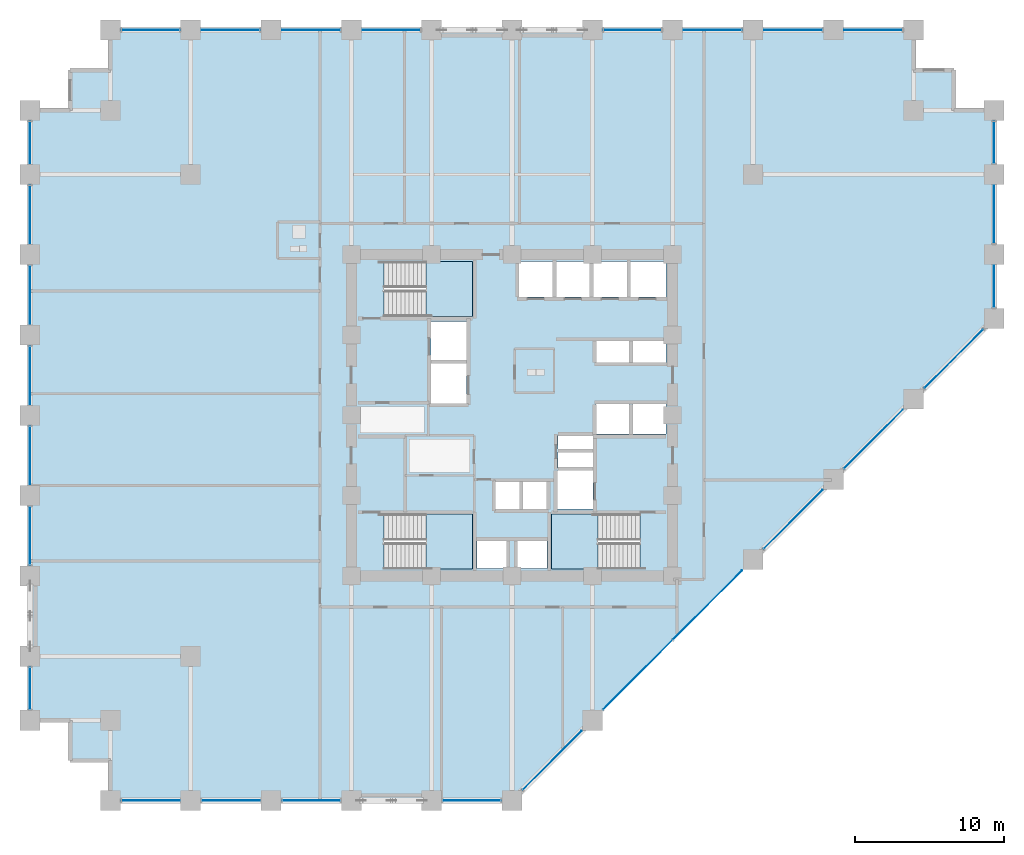
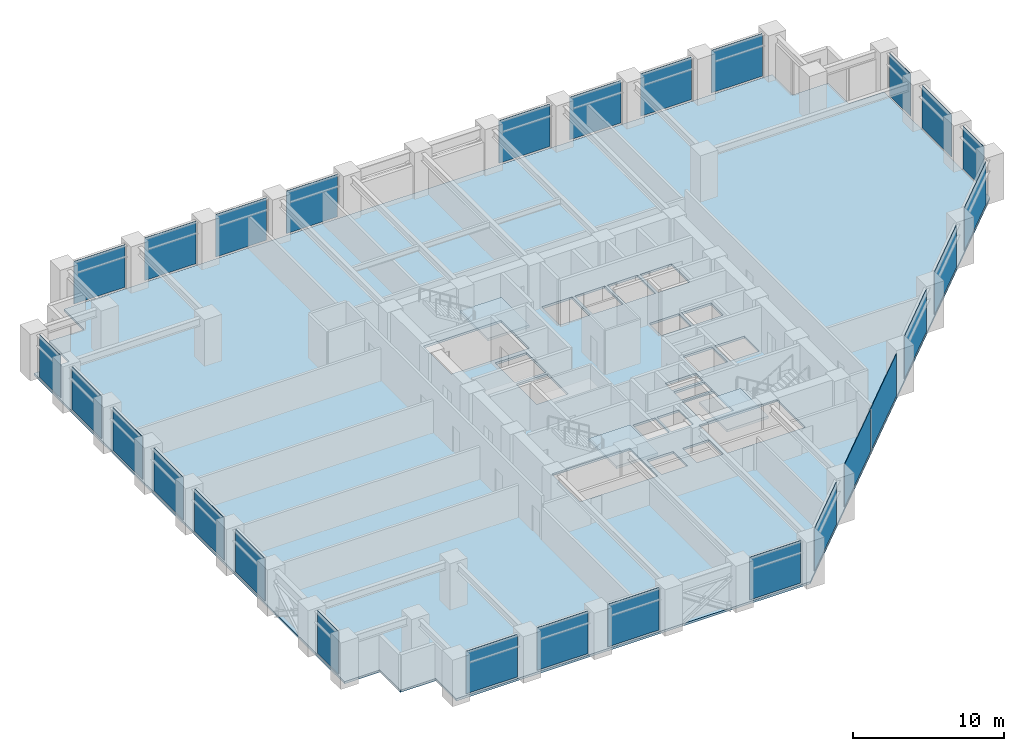
# One storey, part 18 of 24: 28 plates, 4 slabs, 11 elements without a shape of their own.
"""IFC4 building model written with IfcOpenShell, lengths in metres."""

from ifc_helpers import new_model, si_unit, direction, frame, frame_2d, origin, place, context, subcontext, project, spatial, polyline, rectangle, outline, extrude, material, layer, layer_set, type_object, element, aggregate, save


model = new_model("IFC4")

# Units and contexts
model_context = context("Model", 3, precision=1e-05, world=origin(), true_north=direction((0.0, 1.0)))
body_context = subcontext(model_context, "Body", "Model", "MODEL_VIEW")
ifc_project = project(units=[si_unit("LENGTHUNIT", "METRE"), si_unit("AREAUNIT", "SQUARE_METRE"), si_unit("VOLUMEUNIT", "CUBIC_METRE"), si_unit("PLANEANGLEUNIT", "RADIAN"), si_unit("MASSUNIT", "GRAM", prefix="KILO")], contexts=[model_context])

# Site, building, storey
site_placement = place(None, origin())
site = spatial("IfcSite", under=ifc_project, at=site_placement, CompositionType="ELEMENT")
building_placement = place(site_placement, origin())
building = spatial("IfcBuilding", under=site, at=building_placement, Name="Surkhivell Harbour Commons", CompositionType="ELEMENT")
storey_placement = place(building_placement, frame((0.0, 0.0, 26.25)))
storey = spatial("IfcBuildingStorey", under=building, at=storey_placement, Name="L06", CompositionType="ELEMENT", Elevation=26.25)

# Curtain wall, plates
ifc_material_1 = material(Name="Anodised pale-metal aluminium and insulated glazing", Category="aluminium")
ifc_layer_1 = layer(ifc_material_1, 0.219970703125)
ifc_layer_set_1 = layer_set([ifc_layer_1], Name="Anodised pale-metal aluminium and insulated glazing")
curtain_wall_type = type_object("IfcCurtainWallType", Name="CW-SYS-Z1", PredefinedType="NOTDEFINED", material=ifc_layer_set_1)
curtain_wall_1_placement = place(storey_placement, origin())
curtain_wall_1 = element("IfcCurtainWall", 1, at=curtain_wall_1_placement, inside=storey, type_object=curtain_wall_type, Name="L06 Curtain Wall CW-L06-E00S1", PredefinedType="NOTDEFINED")
ifc_material_2 = material(Name="Double-silver low-E laminated vision glass", Category="glass")
ifc_layer_2 = layer(ifc_material_2, 0.031982421875)
ifc_layer_set_2 = layer_set([ifc_layer_2], Name="Double-silver low-E laminated vision glass")
plate_type = type_object("IfcPlateType", Name="CWP-GLZ-32", PredefinedType="CURTAIN_PANEL", material=ifc_layer_set_2)
plate_1_placement = place(storey_placement, frame((-26.248046875, -25.89990234375, 0.14990234375), z_axis=(0.0, 0.0, 1.0), x_axis=(1.0, 0.0, 0.0)))
plate_1 = element("IfcPlate", 2, at=plate_1_placement, type_object=plate_type, Name="CW-Z1 panel 1.1", PredefinedType="CURTAIN_PANEL", context=body_context, shape_type="SweptSolid", body=[
    extrude(rectangle(XDim=3.89599609375, YDim=0.031982421875, at=frame_2d((1.947998046875, 0.0))), origin(), (0.0, 0.0, 1.0), 3.420166015625),
])
plate_2_placement = place(storey_placement, frame((-20.847900390625, -25.89990234375, 0.14990234375), z_axis=(0.0, 0.0, 1.0), x_axis=(1.0, 0.0, 0.0)))
plate_2 = element("IfcPlate", 3, at=plate_2_placement, type_object=plate_type, Name="CW-Z1 panel 2.1", PredefinedType="CURTAIN_PANEL", context=body_context, shape_type="SweptSolid", body=[
    extrude(rectangle(XDim=3.89599609375, YDim=0.031982421875, at=frame_2d((1.947998046875, 0.0))), origin(), (0.0, 0.0, 1.0), 3.420166015625),
])
plate_3_placement = place(storey_placement, frame((-15.447998046875, -25.89990234375, 0.14990234375), z_axis=(0.0, 0.0, 1.0), x_axis=(1.0, 0.0, 0.0)))
plate_3 = element("IfcPlate", 4, at=plate_3_placement, type_object=plate_type, Name="CW-Z1 panel 3.1", PredefinedType="CURTAIN_PANEL", context=body_context, shape_type="SweptSolid", body=[
    extrude(rectangle(XDim=3.89599609375, YDim=0.031982421875, at=frame_2d((1.947998046875, 0.0))), origin(), (0.0, 0.0, 1.0), 3.420166015625),
])
aggregate(curtain_wall_1, [plate_1, plate_2, plate_3])

# Curtain wall, plate
curtain_wall_2_placement = place(storey_placement, origin())
curtain_wall_2 = element("IfcCurtainWall", 5, at=curtain_wall_2_placement, inside=storey, type_object=curtain_wall_type, Name="L06 Curtain Wall CW-L06-E00S2", PredefinedType="NOTDEFINED")
plate_4_placement = place(storey_placement, frame((-4.64794921875, -25.89990234375, 0.14990234375), z_axis=(0.0, 0.0, 1.0), x_axis=(1.0, 0.0, 0.0)))
plate_4 = element("IfcPlate", 6, at=plate_4_placement, type_object=plate_type, Name="CW-Z1 panel 1.1", PredefinedType="CURTAIN_PANEL", context=body_context, shape_type="SweptSolid", body=[
    extrude(rectangle(XDim=3.89599609375, YDim=0.031982421875, at=frame_2d((1.947998046875, 0.0))), origin(), (0.0, 0.0, 1.0), 3.420166015625),
])
aggregate(curtain_wall_2, [plate_4])

# Curtain wall, plates
curtain_wall_3_placement = place(storey_placement, origin())
curtain_wall_3 = element("IfcCurtainWall", 7, at=curtain_wall_3_placement, inside=storey, type_object=curtain_wall_type, Name="L06 Curtain Wall CW-L06-E01", PredefinedType="NOTDEFINED")
plate_5_placement = place(storey_placement, frame((0.729736328125, -25.170166015625, 0.14990234375), z_axis=(0.0, 0.0, 1.0), x_axis=(0.707106781187, 0.707106781187, 0.0)))
plate_5 = element("IfcPlate", 8, at=plate_5_placement, type_object=plate_type, Name="CW-Z1 panel 1.1", PredefinedType="CURTAIN_PANEL", context=body_context, shape_type="SweptSolid", body=[
    extrude(rectangle(XDim=5.572509765625, YDim=0.031982421875, at=frame_2d((2.7861328125, 0.0))), origin(), (0.0, 0.0, 1.0), 3.420166015625),
])
plate_6_placement = place(storey_placement, frame((6.1298828125, -19.770263671875, 0.14990234375), z_axis=(0.0, 0.0, 1.0), x_axis=(0.707088192925, 0.70712536896, 0.0)))
plate_6 = element("IfcPlate", 9, at=plate_6_placement, type_object=plate_type, Name="CW-Z1 panel 2.1", PredefinedType="CURTAIN_PANEL", context=body_context, shape_type="SweptSolid", body=[
    extrude(rectangle(XDim=6.567138671875, YDim=0.031982421875, at=frame_2d((3.28369140625, 0.0))), origin(), (0.0, 0.0, 1.0), 3.420166015625),
])
plate_7_placement = place(storey_placement, frame((10.826416015625, -15.073486328125, 0.14990234375), z_axis=(0.0, 0.0, 1.0), x_axis=(0.70712536896, 0.707088192925, 0.0)))
plate_7 = element("IfcPlate", 10, at=plate_7_placement, type_object=plate_type, Name="CW-Z1 panel 3.1", PredefinedType="CURTAIN_PANEL", context=body_context, shape_type="SweptSolid", body=[
    extrude(rectangle(XDim=6.567138671875, YDim=0.031982421875, at=frame_2d((3.28369140625, 0.0))), origin(), (0.0, 0.0, 1.0), 3.420166015625),
])
plate_8_placement = place(storey_placement, frame((16.929931640625, -8.97021484375, 0.14990234375), z_axis=(0.0, 0.0, 1.0), x_axis=(0.707084874754, 0.70712868694, 0.0)))
plate_8 = element("IfcPlate", 11, at=plate_8_placement, type_object=plate_type, Name="CW-Z1 panel 4.1", PredefinedType="CURTAIN_PANEL", context=body_context, shape_type="SweptSolid", body=[
    extrude(rectangle(XDim=5.572509765625, YDim=0.031982421875, at=frame_2d((2.7861328125, 0.0))), origin(), (0.0, 0.0, 1.0), 3.420166015625),
])
plate_9_placement = place(storey_placement, frame((22.329833984375, -3.570068359375, 0.14990234375), z_axis=(0.0, 0.0, 1.0), x_axis=(0.70712868694, 0.707084874754, 0.0)))
plate_9 = element("IfcPlate", 12, at=plate_9_placement, type_object=plate_type, Name="CW-Z1 panel 5.1", PredefinedType="CURTAIN_PANEL", context=body_context, shape_type="SweptSolid", body=[
    extrude(rectangle(XDim=5.572509765625, YDim=0.031982421875, at=frame_2d((2.7861328125, 0.0))), origin(), (0.0, 0.0, 1.0), 3.420166015625),
])
plate_10_placement = place(storey_placement, frame((27.729736328125, 1.829833984375, 0.14990234375), z_axis=(0.0, 0.0, 1.0), x_axis=(0.707106781187, 0.707106781187, 0.0)))
plate_10 = element("IfcPlate", 13, at=plate_10_placement, type_object=plate_type, Name="CW-Z1 panel 6.1", PredefinedType="CURTAIN_PANEL", context=body_context, shape_type="SweptSolid", body=[
    extrude(rectangle(XDim=5.572509765625, YDim=0.031982421875, at=frame_2d((2.7861328125, 0.0))), origin(), (0.0, 0.0, 1.0), 3.420166015625),
])
aggregate(curtain_wall_3, [plate_5, plate_6, plate_7, plate_8, plate_9, plate_10])

curtain_wall_4_placement = place(storey_placement, origin())
curtain_wall_4 = element("IfcCurtainWall", 14, at=curtain_wall_4_placement, inside=storey, type_object=curtain_wall_type, Name="L06 Curtain Wall CW-L06-E02", PredefinedType="NOTDEFINED")
plate_11_placement = place(storey_placement, frame((32.39990234375, 7.251953125, 0.14990234375), z_axis=(0.0, 0.0, 1.0), x_axis=(0.0, 1.0, 0.0)))
plate_11 = element("IfcPlate", 15, at=plate_11_placement, type_object=plate_type, Name="CW-Z1 panel 1.1", PredefinedType="CURTAIN_PANEL", context=body_context, shape_type="SweptSolid", body=[
    extrude(rectangle(XDim=2.796142578125, YDim=0.031982421875, at=frame_2d((1.39794921875, 0.0))), origin(), (0.0, 0.0, 1.0), 3.420166015625),
])
plate_12_placement = place(storey_placement, frame((32.39990234375, 11.552001953125, 0.14990234375), z_axis=(0.0, 0.0, 1.0), x_axis=(0.0, 1.0, 0.0)))
plate_12 = element("IfcPlate", 16, at=plate_12_placement, type_object=plate_type, Name="CW-Z1 panel 2.1", PredefinedType="CURTAIN_PANEL", context=body_context, shape_type="SweptSolid", body=[
    extrude(rectangle(XDim=3.89599609375, YDim=0.031982421875, at=frame_2d((1.947998046875, 0.0))), origin(), (0.0, 0.0, 1.0), 3.420166015625),
])
plate_13_placement = place(storey_placement, frame((32.39990234375, 16.951904296875, 0.14990234375), z_axis=(0.0, 0.0, 1.0), x_axis=(0.0, 1.0, 0.0)))
plate_13 = element("IfcPlate", 17, at=plate_13_placement, type_object=plate_type, Name="CW-Z1 panel 3.1", PredefinedType="CURTAIN_PANEL", context=body_context, shape_type="SweptSolid", body=[
    extrude(rectangle(XDim=2.796142578125, YDim=0.031982421875, at=frame_2d((1.39794921875, 0.0))), origin(), (0.0, 0.0, 1.0), 3.420166015625),
])
aggregate(curtain_wall_4, [plate_11, plate_12, plate_13])

curtain_wall_5_placement = place(storey_placement, origin())
curtain_wall_5 = element("IfcCurtainWall", 18, at=curtain_wall_5_placement, inside=storey, type_object=curtain_wall_type, Name="L06 Curtain Wall CW-L06-E07S1", PredefinedType="NOTDEFINED")
plate_14_placement = place(storey_placement, frame((26.248046875, 25.89990234375, 0.14990234375), z_axis=(0.0, 0.0, 1.0), x_axis=(-1.0, 0.0, 0.0)))
plate_14 = element("IfcPlate", 19, at=plate_14_placement, type_object=plate_type, Name="CW-Z1 panel 1.1", PredefinedType="CURTAIN_PANEL", context=body_context, shape_type="SweptSolid", body=[
    extrude(rectangle(XDim=3.89599609375, YDim=0.031982421875, at=frame_2d((1.947998046875, 0.0))), origin(), (0.0, 0.0, 1.0), 3.420166015625),
])
plate_15_placement = place(storey_placement, frame((20.847900390625, 25.89990234375, 0.14990234375), z_axis=(0.0, 0.0, 1.0), x_axis=(-1.0, 0.0, 0.0)))
plate_15 = element("IfcPlate", 20, at=plate_15_placement, type_object=plate_type, Name="CW-Z1 panel 2.1", PredefinedType="CURTAIN_PANEL", context=body_context, shape_type="SweptSolid", body=[
    extrude(rectangle(XDim=3.89599609375, YDim=0.031982421875, at=frame_2d((1.947998046875, 0.0))), origin(), (0.0, 0.0, 1.0), 3.420166015625),
])
plate_16_placement = place(storey_placement, frame((15.447998046875, 25.89990234375, 0.14990234375), z_axis=(0.0, 0.0, 1.0), x_axis=(-1.0, 0.0, 0.0)))
plate_16 = element("IfcPlate", 21, at=plate_16_placement, type_object=plate_type, Name="CW-Z1 panel 3.1", PredefinedType="CURTAIN_PANEL", context=body_context, shape_type="SweptSolid", body=[
    extrude(rectangle(XDim=3.89599609375, YDim=0.031982421875, at=frame_2d((1.947998046875, 0.0))), origin(), (0.0, 0.0, 1.0), 3.420166015625),
])
plate_17_placement = place(storey_placement, frame((10.048095703125, 25.89990234375, 0.14990234375), z_axis=(0.0, 0.0, 1.0), x_axis=(-1.0, 0.0, 0.0)))
plate_17 = element("IfcPlate", 22, at=plate_17_placement, type_object=plate_type, Name="CW-Z1 panel 4.1", PredefinedType="CURTAIN_PANEL", context=body_context, shape_type="SweptSolid", body=[
    extrude(rectangle(XDim=3.89599609375, YDim=0.031982421875, at=frame_2d((1.947998046875, 0.0))), origin(), (0.0, 0.0, 1.0), 3.420166015625),
])
aggregate(curtain_wall_5, [plate_14, plate_15, plate_16, plate_17])

curtain_wall_6_placement = place(storey_placement, origin())
curtain_wall_6 = element("IfcCurtainWall", 23, at=curtain_wall_6_placement, inside=storey, type_object=curtain_wall_type, Name="L06 Curtain Wall CW-L06-E07S2", PredefinedType="NOTDEFINED")
plate_18_placement = place(storey_placement, frame((-6.152099609375, 25.89990234375, 0.14990234375), z_axis=(0.0, 0.0, 1.0), x_axis=(-1.0, 0.0, 0.0)))
plate_18 = element("IfcPlate", 24, at=plate_18_placement, type_object=plate_type, Name="CW-Z1 panel 1.1", PredefinedType="CURTAIN_PANEL", context=body_context, shape_type="SweptSolid", body=[
    extrude(rectangle(XDim=3.89599609375, YDim=0.031982421875, at=frame_2d((1.947998046875, 0.0))), origin(), (0.0, 0.0, 1.0), 3.420166015625),
])
plate_19_placement = place(storey_placement, frame((-11.552001953125, 25.89990234375, 0.14990234375), z_axis=(0.0, 0.0, 1.0), x_axis=(-1.0, 0.0, 0.0)))
plate_19 = element("IfcPlate", 25, at=plate_19_placement, type_object=plate_type, Name="CW-Z1 panel 2.1", PredefinedType="CURTAIN_PANEL", context=body_context, shape_type="SweptSolid", body=[
    extrude(rectangle(XDim=3.89599609375, YDim=0.031982421875, at=frame_2d((1.947998046875, 0.0))), origin(), (0.0, 0.0, 1.0), 3.420166015625),
])
plate_20_placement = place(storey_placement, frame((-16.951904296875, 25.89990234375, 0.14990234375), z_axis=(0.0, 0.0, 1.0), x_axis=(-1.0, 0.0, 0.0)))
plate_20 = element("IfcPlate", 26, at=plate_20_placement, type_object=plate_type, Name="CW-Z1 panel 3.1", PredefinedType="CURTAIN_PANEL", context=body_context, shape_type="SweptSolid", body=[
    extrude(rectangle(XDim=3.89599609375, YDim=0.031982421875, at=frame_2d((1.947998046875, 0.0))), origin(), (0.0, 0.0, 1.0), 3.420166015625),
])
plate_21_placement = place(storey_placement, frame((-22.35205078125, 25.89990234375, 0.14990234375), z_axis=(0.0, 0.0, 1.0), x_axis=(-1.0, 0.0, 0.0)))
plate_21 = element("IfcPlate", 27, at=plate_21_placement, type_object=plate_type, Name="CW-Z1 panel 4.1", PredefinedType="CURTAIN_PANEL", context=body_context, shape_type="SweptSolid", body=[
    extrude(rectangle(XDim=3.89599609375, YDim=0.031982421875, at=frame_2d((1.947998046875, 0.0))), origin(), (0.0, 0.0, 1.0), 3.420166015625),
])
aggregate(curtain_wall_6, [plate_18, plate_19, plate_20, plate_21])

curtain_wall_7_placement = place(storey_placement, origin())
curtain_wall_7 = element("IfcCurtainWall", 28, at=curtain_wall_7_placement, inside=storey, type_object=curtain_wall_type, Name="L06 Curtain Wall CW-L06-E12S1", PredefinedType="NOTDEFINED")
plate_22_placement = place(storey_placement, frame((-32.39990234375, 19.748046875, 0.14990234375), z_axis=(0.0, 0.0, 1.0), x_axis=(0.0, -1.0, 0.0)))
plate_22 = element("IfcPlate", 29, at=plate_22_placement, type_object=plate_type, Name="CW-Z1 panel 1.1", PredefinedType="CURTAIN_PANEL", context=body_context, shape_type="SweptSolid", body=[
    extrude(rectangle(XDim=2.796142578125, YDim=0.031982421875, at=frame_2d((1.39794921875, 0.0))), origin(), (0.0, 0.0, 1.0), 3.420166015625),
])
plate_23_placement = place(storey_placement, frame((-32.39990234375, 15.447998046875, 0.14990234375), z_axis=(0.0, 0.0, 1.0), x_axis=(0.0, -1.0, 0.0)))
plate_23 = element("IfcPlate", 30, at=plate_23_placement, type_object=plate_type, Name="CW-Z1 panel 2.1", PredefinedType="CURTAIN_PANEL", context=body_context, shape_type="SweptSolid", body=[
    extrude(rectangle(XDim=3.89599609375, YDim=0.031982421875, at=frame_2d((1.947998046875, 0.0))), origin(), (0.0, 0.0, 1.0), 3.420166015625),
])
plate_24_placement = place(storey_placement, frame((-32.39990234375, 10.048095703125, 0.14990234375), z_axis=(0.0, 0.0, 1.0), x_axis=(0.0, -1.0, 0.0)))
plate_24 = element("IfcPlate", 31, at=plate_24_placement, type_object=plate_type, Name="CW-Z1 panel 3.1", PredefinedType="CURTAIN_PANEL", context=body_context, shape_type="SweptSolid", body=[
    extrude(rectangle(XDim=3.89599609375, YDim=0.031982421875, at=frame_2d((1.947998046875, 0.0))), origin(), (0.0, 0.0, 1.0), 3.420166015625),
])
plate_25_placement = place(storey_placement, frame((-32.39990234375, 4.64794921875, 0.14990234375), z_axis=(0.0, 0.0, 1.0), x_axis=(0.0, -1.0, 0.0)))
plate_25 = element("IfcPlate", 32, at=plate_25_placement, type_object=plate_type, Name="CW-Z1 panel 4.1", PredefinedType="CURTAIN_PANEL", context=body_context, shape_type="SweptSolid", body=[
    extrude(rectangle(XDim=3.89599609375, YDim=0.031982421875, at=frame_2d((1.947998046875, 0.0))), origin(), (0.0, 0.0, 1.0), 3.420166015625),
])
plate_26_placement = place(storey_placement, frame((-32.39990234375, -0.751953125, 0.14990234375), z_axis=(0.0, 0.0, 1.0), x_axis=(0.0, -1.0, 0.0)))
plate_26 = element("IfcPlate", 33, at=plate_26_placement, type_object=plate_type, Name="CW-Z1 panel 5.1", PredefinedType="CURTAIN_PANEL", context=body_context, shape_type="SweptSolid", body=[
    extrude(rectangle(XDim=3.89599609375, YDim=0.031982421875, at=frame_2d((1.947998046875, 0.0))), origin(), (0.0, 0.0, 1.0), 3.420166015625),
])
plate_27_placement = place(storey_placement, frame((-32.39990234375, -6.152099609375, 0.14990234375), z_axis=(0.0, 0.0, 1.0), x_axis=(0.0, -1.0, 0.0)))
plate_27 = element("IfcPlate", 34, at=plate_27_placement, type_object=plate_type, Name="CW-Z1 panel 6.1", PredefinedType="CURTAIN_PANEL", context=body_context, shape_type="SweptSolid", body=[
    extrude(rectangle(XDim=3.89599609375, YDim=0.031982421875, at=frame_2d((1.947998046875, 0.0))), origin(), (0.0, 0.0, 1.0), 3.420166015625),
])
aggregate(curtain_wall_7, [plate_22, plate_23, plate_24, plate_25, plate_26, plate_27])

# Curtain wall, plate
curtain_wall_8_placement = place(storey_placement, origin())
curtain_wall_8 = element("IfcCurtainWall", 35, at=curtain_wall_8_placement, inside=storey, type_object=curtain_wall_type, Name="L06 Curtain Wall CW-L06-E12S2", PredefinedType="NOTDEFINED")
plate_28_placement = place(storey_placement, frame((-32.39990234375, -16.951904296875, 0.14990234375), z_axis=(0.0, 0.0, 1.0), x_axis=(0.0, -1.0, 0.0)))
plate_28 = element("IfcPlate", 36, at=plate_28_placement, type_object=plate_type, Name="CW-Z1 panel 1.1", PredefinedType="CURTAIN_PANEL", context=body_context, shape_type="SweptSolid", body=[
    extrude(rectangle(XDim=2.796142578125, YDim=0.031982421875, at=frame_2d((1.39794921875, 0.0))), origin(), (0.0, 0.0, 1.0), 3.420166015625),
])
aggregate(curtain_wall_8, [plate_28])

# Stair, slab
ifc_material_3 = material(Name="Precast concrete C45/55", Category="concrete")
stair_type = type_object("IfcStairType", Name="STR-DL-375", PredefinedType="HALF_TURN_STAIR", material=ifc_material_3)
stair_1_placement = place(storey_placement, origin())
stair_1 = element("IfcStair", 37, at=stair_1_placement, inside=storey, type_object=stair_type, Name="L06 Core Exit Stair ST1", PredefinedType="HALF_TURN_STAIR")
ifc_material_4 = material(Name="Reinforced concrete C45/55", Category="concrete")
ifc_layer_3 = layer(ifc_material_4, 0.199951171875)
ifc_layer_set_3 = layer_set([ifc_layer_3], Name="Reinforced concrete C45/55")
slab_type_1 = type_object("IfcSlabType", Name="SLB-ST-LND200", PredefinedType="LANDING", material=ifc_layer_set_3)
slab_1_placement = place(storey_placement, frame((0.0, 0.0, 1.675048828125)))
slab_1 = element("IfcSlab", 38, at=slab_1_placement, type_object=slab_type_1, Name="ST1 landing 1", PredefinedType="LANDING", context=body_context, shape_type="SweptSolid", body=[
    extrude(outline(polyline([(-5.7900390625, 6.639892578125), (-2.639892578125, 6.639892578125), (-2.639892578125, 10.340087890625), (-5.7900390625, 10.340087890625), (-5.7900390625, 6.639892578125)])), origin(), (0.0, 0.0, 1.0), 0.199951171875),
])
aggregate(stair_1, [slab_1])

stair_2_placement = place(storey_placement, origin())
stair_2 = element("IfcStair", 39, at=stair_2_placement, inside=storey, type_object=stair_type, Name="L06 Core Exit Stair ST2", PredefinedType="HALF_TURN_STAIR")
slab_2_placement = place(storey_placement, frame((0.0, 0.0, 1.675048828125)))
slab_2 = element("IfcSlab", 40, at=slab_2_placement, type_object=slab_type_1, Name="ST2 landing 1", PredefinedType="LANDING", context=body_context, shape_type="SweptSolid", body=[
    extrude(outline(polyline([(5.7900390625, -6.639892578125), (2.639892578125, -6.639892578125), (2.639892578125, -10.340087890625), (5.7900390625, -10.340087890625), (5.7900390625, -6.639892578125)])), origin(), (0.0, 0.0, 1.0), 0.199951171875),
])
aggregate(stair_2, [slab_2])

stair_3_placement = place(storey_placement, origin())
stair_3 = element("IfcStair", 41, at=stair_3_placement, inside=storey, type_object=stair_type, Name="L06 Core Exit Stair ST3", PredefinedType="HALF_TURN_STAIR")
slab_3_placement = place(storey_placement, frame((0.0, 0.0, 1.675048828125)))
slab_3 = element("IfcSlab", 42, at=slab_3_placement, type_object=slab_type_1, Name="ST3 landing 1", PredefinedType="LANDING", context=body_context, shape_type="SweptSolid", body=[
    extrude(outline(polyline([(-5.7900390625, -10.340087890625), (-2.639892578125, -10.340087890625), (-2.639892578125, -6.639892578125), (-5.7900390625, -6.639892578125), (-5.7900390625, -10.340087890625)])), origin(), (0.0, 0.0, 1.0), 0.199951171875),
])
aggregate(stair_3, [slab_3])

# Slab
ifc_material_5 = material(Name="Concrete C45/55", Category="concrete")
ifc_layer_4 = layer(ifc_material_5, 0.179931640625)
ifc_layer_set_4 = layer_set([ifc_layer_4], Name="Concrete C45/55")
slab_type_2 = type_object("IfcSlabType", Name="SLB-TYP-180", PredefinedType="FLOOR", material=ifc_layer_set_4)
slab_4_placement = place(storey_placement, frame((0.0, 0.0, -0.179931640625)))
element("IfcSlab", 43, at=slab_4_placement, inside=storey, type_object=slab_type_2, Name="L06 Structural Floor Slab", PredefinedType="FLOOR", context=body_context, shape_type="SweptSolid", body=[
    extrude(outline(polyline([(-27.0, -25.89990234375), (0.0, -25.89990234375), (32.39990234375, 6.5), (32.39990234375, 20.5), (29.699951171875, 20.5), (29.699951171875, 23.199951171875), (27.0, 23.199951171875), (27.0, 25.89990234375), (-27.0, 25.89990234375), (-27.0, 23.199951171875), (-29.699951171875, 23.199951171875), (-29.699951171875, 20.5), (-32.39990234375, 20.5), (-32.39990234375, -20.5), (-29.699951171875, -20.5), (-29.699951171875, -23.199951171875), (-27.0, -23.199951171875), (-27.0, -25.89990234375)]), holes=[polyline([(-8.590087890625, 6.639892578125), (-2.639892578125, 6.639892578125), (-2.639892578125, 10.340087890625), (-8.590087890625, 10.340087890625), (-8.590087890625, 6.639892578125)]), polyline([(8.590087890625, -6.639892578125), (2.639892578125, -6.639892578125), (2.639892578125, -10.340087890625), (8.590087890625, -10.340087890625), (8.590087890625, -6.639892578125)]), polyline([(-8.590087890625, -10.340087890625), (-2.639892578125, -10.340087890625), (-2.639892578125, -6.639892578125), (-8.590087890625, -6.639892578125), (-8.590087890625, -10.340087890625)]), polyline([(0.449951171875, 7.949951171875), (2.75, 7.949951171875), (2.75, 10.35009765625), (0.449951171875, 10.35009765625), (0.449951171875, 7.949951171875)]), polyline([(2.949951171875, 7.949951171875), (5.25, 7.949951171875), (5.25, 10.35009765625), (2.949951171875, 10.35009765625), (2.949951171875, 7.949951171875)]), polyline([(5.449951171875, 7.949951171875), (7.75, 7.949951171875), (7.75, 10.35009765625), (5.449951171875, 10.35009765625), (5.449951171875, 7.949951171875)]), polyline([(7.949951171875, 7.949951171875), (10.35009765625, 7.949951171875), (10.35009765625, 10.35009765625), (7.949951171875, 10.35009765625), (7.949951171875, 7.949951171875)]), polyline([(5.64990234375, 3.550048828125), (7.89990234375, 3.550048828125), (7.89990234375, 5.14990234375), (5.64990234375, 5.14990234375), (5.64990234375, 3.550048828125)]), polyline([(8.10009765625, 3.550048828125), (10.35009765625, 3.550048828125), (10.35009765625, 5.14990234375), (8.10009765625, 5.14990234375), (8.10009765625, 3.550048828125)]), polyline([(5.64990234375, -1.25), (7.89990234375, -1.25), (7.89990234375, 0.75), (5.64990234375, 0.75), (5.64990234375, -1.25)]), polyline([(8.10009765625, -1.25), (10.35009765625, -1.25), (10.35009765625, 0.75), (8.10009765625, 0.75), (8.10009765625, -1.25)]), polyline([(-1.14990234375, -6.35009765625), (0.550048828125, -6.35009765625), (0.550048828125, -4.449951171875), (-1.14990234375, -4.449951171875), (-1.14990234375, -6.35009765625)]), polyline([(0.679931640625, -6.35009765625), (2.3798828125, -6.35009765625), (2.3798828125, -4.449951171875), (0.679931640625, -4.449951171875), (0.679931640625, -6.35009765625)]), polyline([(-2.35009765625, -10.300048828125), (-0.35009765625, -10.300048828125), (-0.35009765625, -8.39990234375), (-2.35009765625, -8.39990234375), (-2.35009765625, -10.300048828125)]), polyline([(0.35009765625, -10.300048828125), (2.35009765625, -10.300048828125), (2.35009765625, -8.39990234375), (0.35009765625, -8.39990234375), (0.35009765625, -10.300048828125)]), polyline([(-5.449951171875, 3.699951171875), (-3.050048828125, 3.699951171875), (-3.050048828125, 6.300048828125), (-5.449951171875, 6.300048828125), (-5.449951171875, 3.699951171875)]), polyline([(3.050048828125, -6.300048828125), (5.449951171875, -6.300048828125), (5.449951171875, -3.699951171875), (3.050048828125, -3.699951171875), (3.050048828125, -6.300048828125)]), polyline([(-5.449951171875, 0.800048828125), (-3.050048828125, 0.800048828125), (-3.050048828125, 3.5), (-5.449951171875, 3.5), (-5.449951171875, 0.800048828125)]), polyline([(3.10009765625, -3.550048828125), (5.449951171875, -3.550048828125), (5.449951171875, -2.47998046875), (3.10009765625, -2.47998046875), (3.10009765625, -3.550048828125)]), polyline([(3.10009765625, -2.280029296875), (5.449951171875, -2.280029296875), (5.449951171875, -1.35009765625), (3.10009765625, -1.35009765625), (3.10009765625, -2.280029296875)])]), origin(), (0.0, 0.0, 1.0), 0.179931640625),
])

save(model, "model.ifc")
